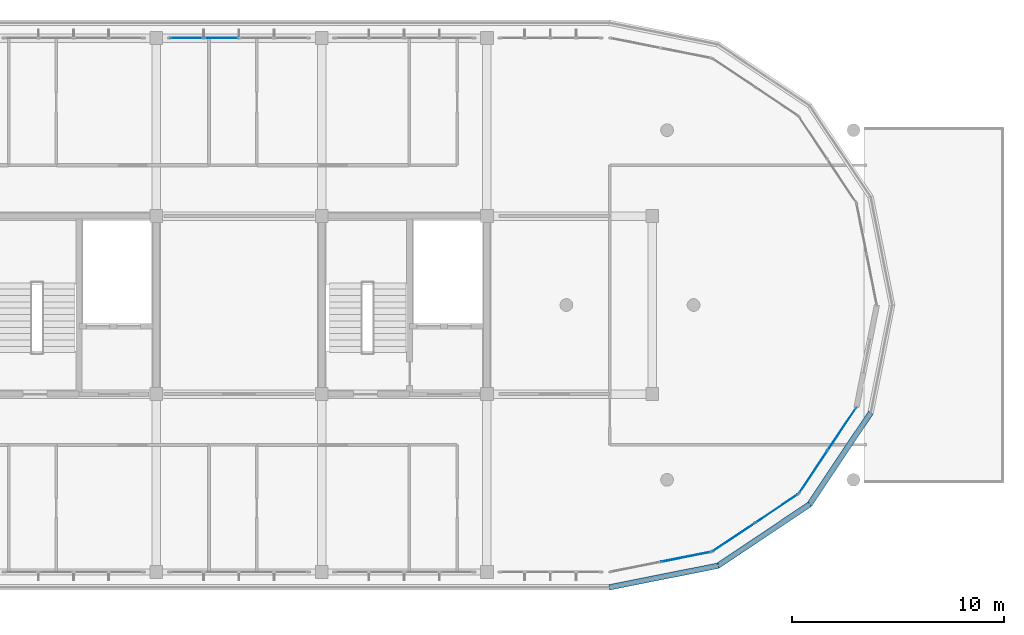
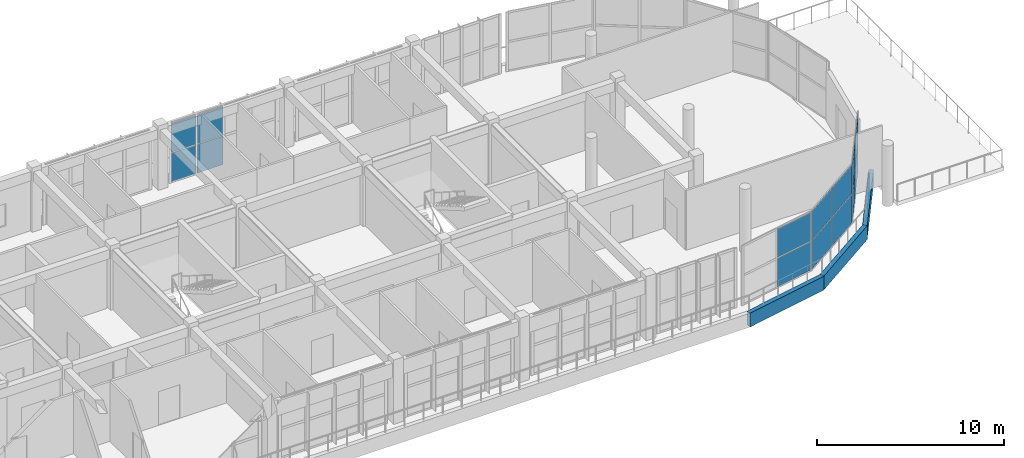
# One storey, part 39 of 50: 17 plates, 4 elements without a shape of their own.
"""IFC4 building model written with IfcOpenShell, lengths in metres."""

from ifc_helpers import new_model, si_unit, direction, frame, origin, origin_2d, place, context, subcontext, project, spatial, polyline, rectangle, outline, extrude, material, layer, layer_set, type_object, element, aggregate, save


model = new_model("IFC4")

# Units and contexts
model_context = context("Model", 3, precision=1e-05, world=origin(), true_north=direction((0.0, 1.0)))
body_context = subcontext(model_context, "Body", "Model", "MODEL_VIEW")
ifc_project = project(units=[si_unit("LENGTHUNIT", "METRE"), si_unit("AREAUNIT", "SQUARE_METRE"), si_unit("VOLUMEUNIT", "CUBIC_METRE"), si_unit("PLANEANGLEUNIT", "RADIAN"), si_unit("MASSUNIT", "GRAM", prefix="KILO")], contexts=[model_context])

# Site, building, storey
site_placement = place(None, origin())
site = spatial("IfcSite", under=ifc_project, at=site_placement, CompositionType="ELEMENT")
building_placement = place(site_placement, origin())
building = spatial("IfcBuilding", under=site, at=building_placement, Name="Zizhar Promenade General Hospital", CompositionType="ELEMENT")
storey_placement = place(building_placement, frame((0.0, 0.0, 30.60009765625)))
storey = spatial("IfcBuildingStorey", under=building, at=storey_placement, Name="L07", CompositionType="ELEMENT", Elevation=30.60009765625)

# Curtain wall, plates
ifc_material_1 = material(Name="Anodised aluminium 6063-T6 and low-E glass", Category="aluminium")
ifc_layer_1 = layer(ifc_material_1, 0.159912109375)
ifc_layer_set_1 = layer_set([ifc_layer_1], Name="Anodised aluminium 6063-T6 and low-E glass")
curtain_wall_type_1 = type_object("IfcCurtainWallType", Name="CW-WARD-ARC", PredefinedType="NOTDEFINED", material=ifc_layer_set_1)
curtain_wall_1_placement = place(storey_placement, origin())
curtain_wall_1 = element("IfcCurtainWall", 1, at=curtain_wall_1_placement, inside=storey, type_object=curtain_wall_type_1, Name="Ward Semicircular End Glazing L07-01", PredefinedType="NOTDEFINED")
ifc_material_2 = material(Name="Low-E solar-control glass", Category="glass")
ifc_layer_2 = layer(ifc_material_2, 0.031982421875)
ifc_layer_set_2 = layer_set([ifc_layer_2], Name="Low-E solar-control glass")
plate_type_1 = type_object("IfcPlateType", Name="CWP-GLZ-32", PredefinedType="CURTAIN_PANEL", material=ifc_layer_set_2)
plate_1_placement = place(storey_placement, frame((110.8017578125, 0.71630859375, 0.06005859375), z_axis=(0.0, 0.0, 1.0), x_axis=(-0.980785889615, -0.195087259275, 0.0)))
plate_1 = element("IfcPlate", 2, at=plate_1_placement, type_object=plate_type_1, Name="CW-12 panel 1.1", PredefinedType="CURTAIN_PANEL", context=body_context, shape_type="SweptSolid", body=[
    extrude(rectangle(XDim=2.3681640625, YDim=0.031982421875, at=origin_2d()), origin(), (0.0, 0.0, 1.0), 1.860107421875),
])
plate_2_placement = place(storey_placement, frame((110.8017578125, 0.71630859375, 1.97998046875), z_axis=(0.0, 0.0, 1.0), x_axis=(-0.980785889615, -0.195087259275, 0.0)))
plate_2 = element("IfcPlate", 3, at=plate_2_placement, type_object=plate_type_1, Name="CW-12 panel 1.2", PredefinedType="CURTAIN_PANEL", context=body_context, shape_type="SweptSolid", body=[
    extrude(rectangle(XDim=2.3681640625, YDim=0.031982421875, at=origin_2d()), origin(), (0.0, 0.0, 1.0), 1.860107421875),
])
aggregate(curtain_wall_1, [plate_1, plate_2])

curtain_wall_2_placement = place(storey_placement, origin())
curtain_wall_2 = element("IfcCurtainWall", 4, at=curtain_wall_2_placement, inside=storey, type_object=curtain_wall_type_1, Name="Ward Semicircular End Glazing L07-02", PredefinedType="NOTDEFINED")
plate_3_placement = place(storey_placement, frame((115.0751953125, 2.999267578125, 0.06005859375), z_axis=(0.0, 0.0, 1.0), x_axis=(-0.831461514468, -0.555582352095, 0.0)))
plate_3 = element("IfcPlate", 5, at=plate_3_placement, type_object=plate_type_1, Name="CW-12 panel 1.1", PredefinedType="CURTAIN_PANEL", context=body_context, shape_type="SweptSolid", body=[
    extrude(rectangle(XDim=2.3681640625, YDim=0.031982421875, at=origin_2d()), origin(), (0.0, 0.0, 1.0), 1.860107421875),
])
plate_4_placement = place(storey_placement, frame((115.0751953125, 2.999267578125, 1.97998046875), z_axis=(0.0, 0.0, 1.0), x_axis=(-0.831461514468, -0.555582352095, 0.0)))
plate_4 = element("IfcPlate", 6, at=plate_4_placement, type_object=plate_type_1, Name="CW-12 panel 1.2", PredefinedType="CURTAIN_PANEL", context=body_context, shape_type="SweptSolid", body=[
    extrude(rectangle(XDim=2.3681640625, YDim=0.031982421875, at=origin_2d()), origin(), (0.0, 0.0, 1.0), 1.860107421875),
])
plate_5_placement = place(storey_placement, frame((113.05615234375, 1.650390625, 0.06005859375), z_axis=(0.0, 0.0, 1.0), x_axis=(-0.831461514468, -0.555582352095, 0.0)))
plate_5 = element("IfcPlate", 7, at=plate_5_placement, type_object=plate_type_1, Name="CW-12 panel 2.1", PredefinedType="CURTAIN_PANEL", context=body_context, shape_type="SweptSolid", body=[
    extrude(rectangle(XDim=2.3681640625, YDim=0.031982421875, at=origin_2d()), origin(), (0.0, 0.0, 1.0), 1.860107421875),
])
plate_6_placement = place(storey_placement, frame((113.05615234375, 1.650390625, 1.97998046875), z_axis=(0.0, 0.0, 1.0), x_axis=(-0.831461514468, -0.555582352095, 0.0)))
plate_6 = element("IfcPlate", 8, at=plate_6_placement, type_object=plate_type_1, Name="CW-12 panel 2.2", PredefinedType="CURTAIN_PANEL", context=body_context, shape_type="SweptSolid", body=[
    extrude(rectangle(XDim=2.3681640625, YDim=0.031982421875, at=origin_2d()), origin(), (0.0, 0.0, 1.0), 1.860107421875),
])
aggregate(curtain_wall_2, [plate_3, plate_4, plate_5, plate_6])

curtain_wall_3_placement = place(storey_placement, origin())
curtain_wall_3 = element("IfcCurtainWall", 9, at=curtain_wall_3_placement, inside=storey, type_object=curtain_wall_type_1, Name="Ward Semicircular End Glazing L07-03", PredefinedType="NOTDEFINED")
plate_7_placement = place(storey_placement, frame((118.149658203125, 6.743896484375, 0.06005859375), z_axis=(0.0, 0.0, 1.0), x_axis=(-0.555582352095, -0.831461514468, 0.0)))
plate_7 = element("IfcPlate", 10, at=plate_7_placement, type_object=plate_type_1, Name="CW-12 panel 1.1", PredefinedType="CURTAIN_PANEL", context=body_context, shape_type="SweptSolid", body=[
    extrude(rectangle(XDim=2.3681640625, YDim=0.031982421875, at=origin_2d()), origin(), (0.0, 0.0, 1.0), 1.860107421875),
])
plate_8_placement = place(storey_placement, frame((118.149658203125, 6.743896484375, 1.97998046875), z_axis=(0.0, 0.0, 1.0), x_axis=(-0.555582352095, -0.831461514468, 0.0)))
plate_8 = element("IfcPlate", 11, at=plate_8_placement, type_object=plate_type_1, Name="CW-12 panel 1.2", PredefinedType="CURTAIN_PANEL", context=body_context, shape_type="SweptSolid", body=[
    extrude(rectangle(XDim=2.3681640625, YDim=0.031982421875, at=origin_2d()), origin(), (0.0, 0.0, 1.0), 1.860107421875),
])
plate_9_placement = place(storey_placement, frame((116.80078125, 4.724853515625, 0.06005859375), z_axis=(0.0, 0.0, 1.0), x_axis=(-0.555582352095, -0.831461514468, 0.0)))
plate_9 = element("IfcPlate", 12, at=plate_9_placement, type_object=plate_type_1, Name="CW-12 panel 2.1", PredefinedType="CURTAIN_PANEL", context=body_context, shape_type="SweptSolid", body=[
    extrude(rectangle(XDim=2.3681640625, YDim=0.031982421875, at=origin_2d()), origin(), (0.0, 0.0, 1.0), 1.860107421875),
])
plate_10_placement = place(storey_placement, frame((116.80078125, 4.724853515625, 1.97998046875), z_axis=(0.0, 0.0, 1.0), x_axis=(-0.555582352095, -0.831461514468, 0.0)))
plate_10 = element("IfcPlate", 13, at=plate_10_placement, type_object=plate_type_1, Name="CW-12 panel 2.2", PredefinedType="CURTAIN_PANEL", context=body_context, shape_type="SweptSolid", body=[
    extrude(rectangle(XDim=2.3681640625, YDim=0.031982421875, at=origin_2d()), origin(), (0.0, 0.0, 1.0), 1.860107421875),
])
aggregate(curtain_wall_3, [plate_7, plate_8, plate_9, plate_10])

ifc_material_3 = material(Name="Anodised aluminium 6063-T6 and low-E glass", Category="aluminium")
ifc_layer_3 = layer(ifc_material_3, 0.159912109375)
ifc_layer_set_3 = layer_set([ifc_layer_3], Name="Anodised aluminium 6063-T6 and low-E glass")
curtain_wall_type_2 = type_object("IfcCurtainWallType", Name="CW-WARD-RIB", PredefinedType="NOTDEFINED", material=ifc_layer_set_3)
curtain_wall_4_placement = place(storey_placement, origin())
curtain_wall_4 = element("IfcCurtainWall", 14, at=curtain_wall_4_placement, inside=storey, type_object=curtain_wall_type_2, Name="Ward Ribbon Curtain Wall L07-8-6", PredefinedType="NOTDEFINED")
plate_11_placement = place(storey_placement, frame((87.22998046875, 25.199951171875, 0.06005859375), z_axis=(0.0, 0.0, 1.0), x_axis=(1.0, 0.0, 0.0)))
plate_11 = element("IfcPlate", 15, at=plate_11_placement, type_object=plate_type_1, Name="CW-13 panel 1.1", PredefinedType="CURTAIN_PANEL", context=body_context, shape_type="SweptSolid", body=[
    extrude(rectangle(XDim=1.5400390625, YDim=0.031982421875, at=origin_2d()), origin(), (0.0, 0.0, 1.0), 1.860107421875),
])
plate_12_placement = place(storey_placement, frame((87.22998046875, 25.199951171875, 1.97998046875), z_axis=(0.0, 0.0, 1.0), x_axis=(1.0, 0.0, 0.0)))
plate_12 = element("IfcPlate", 16, at=plate_12_placement, type_object=plate_type_1, Name="CW-13 panel 1.2", PredefinedType="CURTAIN_PANEL", context=body_context, shape_type="SweptSolid", body=[
    extrude(rectangle(XDim=1.5400390625, YDim=0.031982421875, at=origin_2d()), origin(), (0.0, 0.0, 1.0), 1.860107421875),
])
plate_13_placement = place(storey_placement, frame((88.8701171875, 25.199951171875, 0.06005859375), z_axis=(0.0, 0.0, 1.0), x_axis=(1.0, 0.0, 0.0)))
plate_13 = element("IfcPlate", 17, at=plate_13_placement, type_object=plate_type_1, Name="CW-13 panel 2.1", PredefinedType="CURTAIN_PANEL", context=body_context, shape_type="SweptSolid", body=[
    extrude(rectangle(XDim=1.580078125, YDim=0.031982421875, at=origin_2d()), origin(), (0.0, 0.0, 1.0), 1.860107421875),
])
plate_14_placement = place(storey_placement, frame((88.8701171875, 25.199951171875, 1.97998046875), z_axis=(0.0, 0.0, 1.0), x_axis=(1.0, 0.0, 0.0)))
plate_14 = element("IfcPlate", 18, at=plate_14_placement, type_object=plate_type_1, Name="CW-13 panel 2.2", PredefinedType="CURTAIN_PANEL", context=body_context, shape_type="SweptSolid", body=[
    extrude(rectangle(XDim=1.580078125, YDim=0.031982421875, at=origin_2d()), origin(), (0.0, 0.0, 1.0), 1.860107421875),
])
aggregate(curtain_wall_4, [plate_11, plate_12, plate_13, plate_14])

# Plates
ifc_material_4 = material(Name="Precast concrete C40/50", Category="concrete")
ifc_layer_4 = layer(ifc_material_4, 0.260009765625)
ifc_layer_set_4 = layer_set([ifc_layer_4], Name="Precast concrete C40/50")
plate_type_2 = type_object("IfcPlateType", Name="PL-PC-BAND950", PredefinedType="USERDEFINED", material=ifc_layer_set_4)
plate_15_placement = place(storey_placement, frame((0.0, 0.0, -0.900146484375)))
element("IfcPlate", 19, at=plate_15_placement, inside=storey, type_object=plate_type_2, Name="Ward Precast Slab Band L07-01", ObjectType="FASCIA_BAND", PredefinedType="USERDEFINED", context=body_context, shape_type="SweptSolid", body=[
    extrude(outline(polyline([(107.199951171875, -0.85009765625), (112.34716796875, 0.173828125), (112.29638671875, 0.4287109375), (107.1494140625, -0.594970703125), (107.199951171875, -0.85009765625)])), origin(), (0.0, 0.0, 1.0), 0.900146484375),
])
plate_16_placement = place(storey_placement, frame((0.0, 0.0, -0.900146484375)))
element("IfcPlate", 20, at=plate_16_placement, inside=storey, type_object=plate_type_2, Name="Ward Precast Slab Band L07-02", ObjectType="FASCIA_BAND", PredefinedType="USERDEFINED", context=body_context, shape_type="SweptSolid", body=[
    extrude(outline(polyline([(112.34716796875, 0.173828125), (116.710693359375, 3.08935546875), (116.566162109375, 3.3056640625), (112.20263671875, 0.389892578125), (112.34716796875, 0.173828125)])), origin(), (0.0, 0.0, 1.0), 0.900146484375),
])
plate_17_placement = place(storey_placement, frame((0.0, 0.0, -0.900146484375)))
element("IfcPlate", 21, at=plate_17_placement, inside=storey, type_object=plate_type_2, Name="Ward Precast Slab Band L07-03", ObjectType="FASCIA_BAND", PredefinedType="USERDEFINED", context=body_context, shape_type="SweptSolid", body=[
    extrude(outline(polyline([(116.710693359375, 3.08935546875), (119.626220703125, 7.452880859375), (119.409912109375, 7.597412109375), (116.494384765625, 3.23388671875), (116.710693359375, 3.08935546875)])), origin(), (0.0, 0.0, 1.0), 0.900146484375),
])

save(model, "model.ifc")
